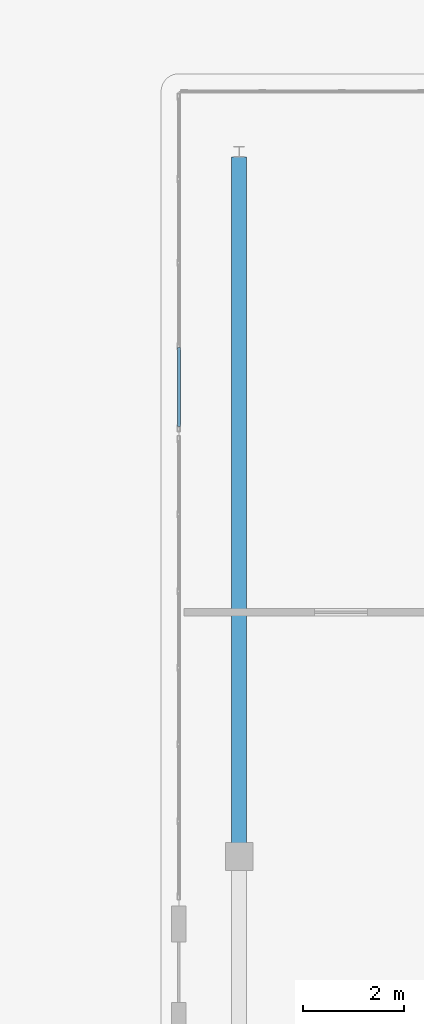
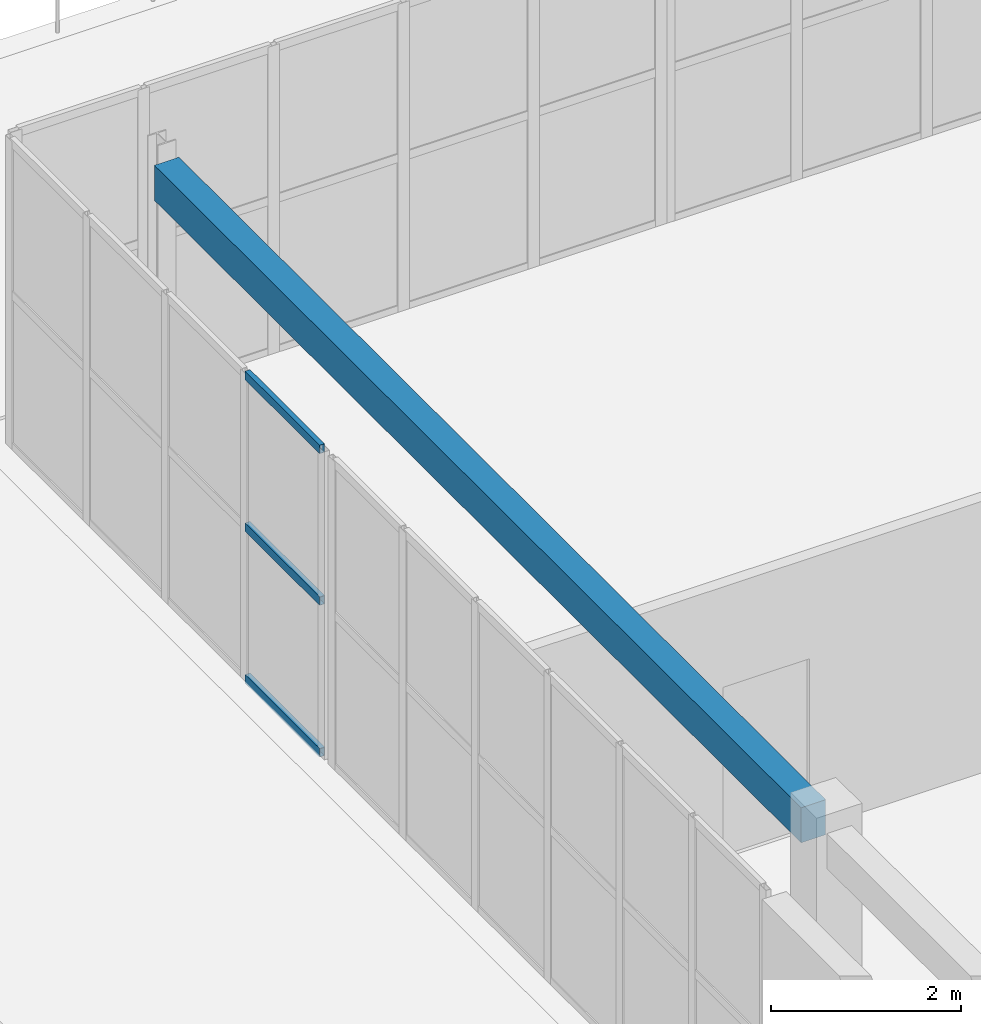
# One storey, part 36 of 90: 3 members, 1 beam, 1 element without a shape of its own.
"""IFC4 building model written with IfcOpenShell, lengths in metres."""

import ifcopenshell
import ifcopenshell.guid

model = None  # the IFC model being written
_history = None  # IfcOwnerHistory: only IFC2X3 demands one
_inside = {}  # id of a spatial element -> (the spatial element, [elements in it])
_under = {}  # id of a project, library or spatial element -> (it, [spatial elements below it])
_declared = {}  # id of a project -> (the project, [libraries it declares])
_typed = {}  # id of a type object -> (the type object, [elements of that type])
_made_of = {}  # id of a material, layer set ... -> (it, [elements and type objects made of it])


def new_model(schema):
    """Start an empty IFC model of exactly this schema.

    Asked for "IFC4X3", IfcOpenShell would pick the latest addendum, in which some entities
    have other attributes; the version numbers below select the first issue.
    IFC2X3 requires an IfcOwnerHistory on every rooted entity: one is made here for all.
    """
    global model, _history
    if schema == "IFC4X3":
        model = ifcopenshell.file(schema_version=(4, 3, 0, 0))
    else:
        model = ifcopenshell.file(schema=schema)
    _inside.clear()
    _under.clear()
    _declared.clear()
    _typed.clear()
    _made_of.clear()
    _history = None
    if model.schema == "IFC2X3":
        org = make("IfcOrganization", Name="unknown")
        user = make(
            "IfcPersonAndOrganization",
            ThePerson=make("IfcPerson", FamilyName="unknown"),
            TheOrganization=org,
        )
        app = make(
            "IfcApplication",
            ApplicationDeveloper=org,
            Version="unknown",
            ApplicationFullName="unknown",
            ApplicationIdentifier="unknown",
        )
        _history = make(
            "IfcOwnerHistory",
            OwningUser=user,
            OwningApplication=app,
            ChangeAction="ADDED",
            CreationDate=0,
        )
    return model


def make(cls, **values):
    """One entity of the class cls with the attributes given. An attribute that is None is left unset."""
    return model.create_entity(
        cls, **{name: value for name, value in values.items() if value is not None}
    )


def rooted(cls, **values):
    """An entity with a GlobalId (a new one), such as an element, a storey or a relation."""
    return make(cls, GlobalId=ifcopenshell.guid.new(), OwnerHistory=_history, **values)


def si_unit(unit_type, name, prefix=None):
    """IfcSIUnit, for example si_unit("LENGTHUNIT", "METRE", prefix="MILLI")."""
    return make("IfcSIUnit", UnitType=unit_type, Prefix=prefix, Name=name)


def assignment(units):
    """IfcUnitAssignment: the units of a project."""
    return None if units is None else make("IfcUnitAssignment", Units=units)


def point(xyz):
    """IfcCartesianPoint."""
    return None if xyz is None else make("IfcCartesianPoint", Coordinates=xyz)


def direction(xyz):
    """IfcDirection."""
    return None if xyz is None else make("IfcDirection", DirectionRatios=xyz)


def frame(location, z_axis=None, x_axis=None):
    """IfcAxis2Placement3D, a coordinate frame: its origin and axes. An axis left out is left unset."""
    return make(
        "IfcAxis2Placement3D",
        Location=point(location),
        Axis=direction(z_axis),
        RefDirection=direction(x_axis),
    )


def frame_2d(location, x_axis=None):
    """IfcAxis2Placement2D, a coordinate frame in the plane: its origin and x axis."""
    return make(
        "IfcAxis2Placement2D", Location=point(location), RefDirection=direction(x_axis)
    )


def origin():
    """The frame at (0, 0, 0) with its axes left unset."""
    return frame((0.0, 0.0, 0.0))


def origin_2d():
    """The frame at (0, 0) in the plane with its x axis left unset."""
    return frame_2d((0.0, 0.0))


def place(relative_to, where):
    """IfcLocalPlacement: puts the frame where relative to a parent placement (None: the world)."""
    return make(
        "IfcLocalPlacement", PlacementRelTo=relative_to, RelativePlacement=where
    )


def context(
    kind, dimensions, precision=None, world=None, true_north=None, identifier=None
):
    """IfcGeometricRepresentationContext, for example the 3D "Model" context."""
    return make(
        "IfcGeometricRepresentationContext",
        ContextIdentifier=identifier,
        ContextType=kind,
        CoordinateSpaceDimension=dimensions,
        Precision=precision,
        WorldCoordinateSystem=world,
        TrueNorth=true_north,
    )


def subcontext(parent, identifier, kind, view, scale=None):
    """IfcGeometricRepresentationSubContext, for example "Body" below "Model"."""
    return make(
        "IfcGeometricRepresentationSubContext",
        ContextIdentifier=identifier,
        ContextType=kind,
        ParentContext=parent,
        TargetScale=scale,
        TargetView=view,
    )


def project(units=None, contexts=None):
    """IfcProject with its units and contexts."""
    return rooted(
        "IfcProject",
        Name="project",
        RepresentationContexts=contexts,
        UnitsInContext=assignment(units),
    )


def spatial(cls, under=None, at=None, **own):
    """A site, building, storey or space (cls), placed at a placement, below another one or the project."""
    s = rooted(cls, ObjectPlacement=at, **own)
    if under is not None:
        _under.setdefault(under.id(), (under, []))[1].append(s)
    return s


def profile(cls, at=None, kind="AREA", **sizes):
    """A parametric profile (cls). Its sizes go by their IFC names, for example OverallWidth=200.0."""
    return make(cls, ProfileType=kind, Position=at, **sizes)


def rectangle(**sizes):
    """IfcRectangleProfileDef."""
    return profile("IfcRectangleProfileDef", **sizes)


def hollow_rectangle(**sizes):
    """IfcRectangleHollowProfileDef."""
    return profile("IfcRectangleHollowProfileDef", **sizes)


def extrude(swept, where, along, depth):
    """IfcExtrudedAreaSolid: the profile swept, set in the frame where, extruded along a direction by depth."""
    return make(
        "IfcExtrudedAreaSolid",
        SweptArea=swept,
        Position=where,
        ExtrudedDirection=direction(along),
        Depth=depth,
    )


def shape(context_of_items, identifier, shape_type, items):
    """IfcShapeRepresentation: the items that make up one representation, for example the "Body"."""
    return make(
        "IfcShapeRepresentation",
        ContextOfItems=context_of_items,
        RepresentationIdentifier=identifier,
        RepresentationType=shape_type,
        Items=items,
    )


def material(Name=None, Category=None):
    """IfcMaterial."""
    return make("IfcMaterial", Name=Name, Category=Category)


def layer(
    of_material, thickness, ventilated=None, Name=None, Category=None, Priority=None
):
    """IfcMaterialLayer: one layer of a wall or slab, of a material (None: an air gap)."""
    return make(
        "IfcMaterialLayer",
        Material=of_material,
        LayerThickness=thickness,
        IsVentilated=ventilated,
        Name=Name,
        Category=Category,
        Priority=Priority,
    )


def layer_set(layers, Name=None):
    """IfcMaterialLayerSet."""
    return make("IfcMaterialLayerSet", MaterialLayers=layers, LayerSetName=Name)


def material_profile(
    of_material, cross_section, Name=None, Category=None, Priority=None
):
    """IfcMaterialProfile: a cross section and its material."""
    return make(
        "IfcMaterialProfile",
        Name=Name,
        Material=of_material,
        Profile=cross_section,
        Priority=Priority,
        Category=Category,
    )


def profile_set(profiles, Name=None, composite=None):
    """IfcMaterialProfileSet."""
    return make(
        "IfcMaterialProfileSet",
        Name=Name,
        MaterialProfiles=profiles,
        CompositeProfile=composite,
    )


def made_of(thing, what):
    """Note that an element or type object is made of a material, layer set ...; save() writes the relation."""
    if what is not None:
        _made_of.setdefault(what.id(), (what, []))[1].append(thing)
    return thing


def type_object(cls, material=None, **own):
    """A type object (cls), such as IfcWallType, which elements share."""
    return made_of(rooted(cls, **own), material)


def element(
    cls,
    number,
    at=None,
    inside=None,
    cuts=None,
    type_object=None,
    material=None,
    context=None,
    identifier="Body",
    shape_type=None,
    held_by="IfcProductDefinitionShape",
    body=None,
    shapes=None,
    **own,
):
    """One element of the class cls, such as IfcWall. Its Tag is "e" and its number.

    at: its placement. inside: the storey or other place that contains it. cuts: it is an
    opening in that element (IfcRelVoidsElement). A single representation is given by context,
    identifier, shape_type and body (its items); several are given by shapes. held_by: the class
    of the entity that holds the representations. save() writes the other relations.
    """
    e = rooted(cls, Tag="e%d" % number, ObjectPlacement=at, **own)
    if body is not None:
        shapes = [shape(context, identifier, shape_type, body)]
    if shapes is not None:
        e.Representation = make(held_by, Representations=shapes)
    if inside is not None:
        _inside.setdefault(inside.id(), (inside, []))[1].append(e)
    if cuts is not None:
        rooted(
            "IfcRelVoidsElement", RelatingBuildingElement=cuts, RelatedOpeningElement=e
        )
    if type_object is not None:
        _typed.setdefault(type_object.id(), (type_object, []))[1].append(e)
    return made_of(e, material)


def aggregate(whole, parts):
    """IfcRelAggregates: a whole, such as a stair, and the parts it consists of."""
    return rooted("IfcRelAggregates", RelatingObject=whole, RelatedObjects=parts)


def save(model, path):
    """Write the relations noted so far, then the file.

    IfcRelAggregates (storeys below a building ...), IfcRelContainedInSpatialStructure (elements
    in a storey), IfcRelDefinesByType, IfcRelAssociatesMaterial and IfcRelDeclares: one each for
    every whole, place, type object, material and project.
    """
    for whole, parts in _under.values():
        aggregate(whole, parts)
    for where, things in _inside.values():
        rooted(
            "IfcRelContainedInSpatialStructure",
            RelatedElements=things,
            RelatingStructure=where,
        )
    for kind, things in _typed.values():
        rooted("IfcRelDefinesByType", RelatedObjects=things, RelatingType=kind)
    for what, things in _made_of.values():
        rooted("IfcRelAssociatesMaterial", RelatedObjects=things, RelatingMaterial=what)
    for by, libraries in _declared.values():
        rooted("IfcRelDeclares", RelatingContext=by, RelatedDefinitions=libraries)
    model.write(path)


model = new_model("IFC4")

# Units and contexts
model_context = context("Model", 3, precision=1e-05, world=origin(), true_north=direction((0.0, 1.0)))
body_context = subcontext(model_context, "Body", "Model", "MODEL_VIEW")
ifc_project = project(units=[si_unit("LENGTHUNIT", "METRE"), si_unit("AREAUNIT", "SQUARE_METRE"), si_unit("VOLUMEUNIT", "CUBIC_METRE"), si_unit("PLANEANGLEUNIT", "RADIAN"), si_unit("MASSUNIT", "GRAM", prefix="KILO")], contexts=[model_context])

# Site, building, storey
site_placement = place(None, origin())
site = spatial("IfcSite", under=ifc_project, at=site_placement, CompositionType="ELEMENT")
building_placement = place(site_placement, origin())
building = spatial("IfcBuilding", under=site, at=building_placement, Name="Trelvath General Hospital", CompositionType="ELEMENT")
storey_placement = place(building_placement, frame((0.0, 0.0, 20.39990234375)))
storey = spatial("IfcBuildingStorey", under=building, at=storey_placement, Name="L05", CompositionType="ELEMENT", Elevation=20.39990234375)

# Beam
ifc_material_1 = material(Name="Concrete C35/45", Category="concrete")
ifc_material_profile_1 = material_profile(ifc_material_1, rectangle(XDim=0.300048828125, YDim=0.449951171875, at=origin_2d()), Name="RCB300x450")
ifc_profile_set_1 = profile_set([ifc_material_profile_1], Name="Concrete C35/45")
beam_type = type_object("IfcBeamType", Name="Beam RC300x450", PredefinedType="BEAM", material=ifc_profile_set_1)
beam_placement = place(storey_placement, frame((60.800048828125, 59.071044921875, 3.735107421875), z_axis=(0.0, 1.0, 0.0), x_axis=(-1.0, 0.0, 0.0)))
element("IfcBeam", 1, at=beam_placement, inside=storey, type_object=beam_type, Name="Cube Interior Ring Beam CUBE-W-T2 L05", PredefinedType="BEAM", context=body_context, shape_type="SweptSolid", body=[
    extrude(rectangle(XDim=0.300048828125, YDim=0.449951171875, at=origin_2d()), origin(), (0.0, 0.0, 1.0), 13.623046875),
])

# Curtain wall, members
ifc_material_2 = material(Name="Anodised aluminium and low-E glass", Category="aluminium")
ifc_layer = layer(ifc_material_2, 0.14990234375)
ifc_layer_set = layer_set([ifc_layer], Name="Anodised aluminium and low-E glass")
curtain_wall_type = type_object("IfcCurtainWallType", Name="CW CrystalCube 664 396 15", PredefinedType="USERDEFINED", material=ifc_layer_set)
curtain_wall_placement = place(storey_placement, origin())
curtain_wall = element("IfcCurtainWall", 2, at=curtain_wall_placement, inside=storey, type_object=curtain_wall_type, Name="Crystal Cube Curtain Wall CUBE-W-T2 W5 L05", ObjectType="Unitised Glazed Curtain Wall", PredefinedType="USERDEFINED")
ifc_material_3 = material(Name="Anodised aluminium", Category="aluminium")
ifc_material_profile_2 = material_profile(ifc_material_3, hollow_rectangle(XDim=0.06005859375, YDim=0.110107421875, WallThickness=0.00390625, at=origin_2d()), Name="RHS60x110x4")
ifc_profile_set_2 = profile_set([ifc_material_profile_2], Name="Anodised aluminium")
member_type = type_object("IfcMemberType", Name="CurtainTransom 60x110", PredefinedType="USERDEFINED", material=ifc_profile_set_2)
member_1_placement = place(storey_placement, frame((59.60009765625, 67.340087890625, 0.030029296875), z_axis=(0.0, 1.0, 0.0), x_axis=(-1.0, 0.0, 0.0)))
member_1 = element("IfcMember", 3, at=member_1_placement, type_object=member_type, Name="CW-313 transom 1.1", ObjectType="TRANSOM", PredefinedType="USERDEFINED", context=body_context, shape_type="SweptSolid", body=[
    extrude(hollow_rectangle(XDim=0.06005859375, YDim=0.110107421875, WallThickness=0.00390625, at=origin_2d()), origin(), (0.0, 0.0, 1.0), 1.56982421875),
])
member_2_placement = place(storey_placement, frame((59.60009765625, 67.340087890625, 1.97998046875), z_axis=(0.0, 1.0, 0.0), x_axis=(-1.0, 0.0, 0.0)))
member_2 = element("IfcMember", 4, at=member_2_placement, type_object=member_type, Name="CW-313 transom 1.2", ObjectType="TRANSOM", PredefinedType="USERDEFINED", context=body_context, shape_type="SweptSolid", body=[
    extrude(hollow_rectangle(XDim=0.06005859375, YDim=0.110107421875, WallThickness=0.00390625, at=origin_2d()), origin(), (0.0, 0.0, 1.0), 1.56982421875),
])
member_3_placement = place(storey_placement, frame((59.60009765625, 67.340087890625, 3.93017578125), z_axis=(0.0, 1.0, 0.0), x_axis=(-1.0, 0.0, 0.0)))
member_3 = element("IfcMember", 5, at=member_3_placement, type_object=member_type, Name="CW-313 transom 1.3", ObjectType="TRANSOM", PredefinedType="USERDEFINED", context=body_context, shape_type="SweptSolid", body=[
    extrude(hollow_rectangle(XDim=0.06005859375, YDim=0.110107421875, WallThickness=0.00390625, at=origin_2d()), origin(), (0.0, 0.0, 1.0), 1.56982421875),
])
aggregate(curtain_wall, [member_1, member_2, member_3])

save(model, "model.ifc")
